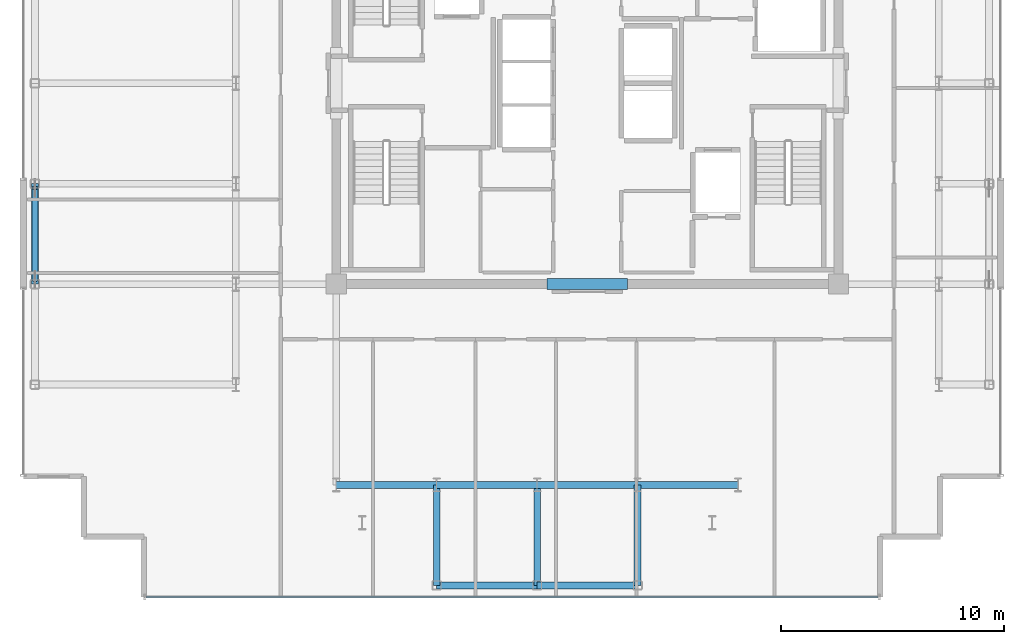
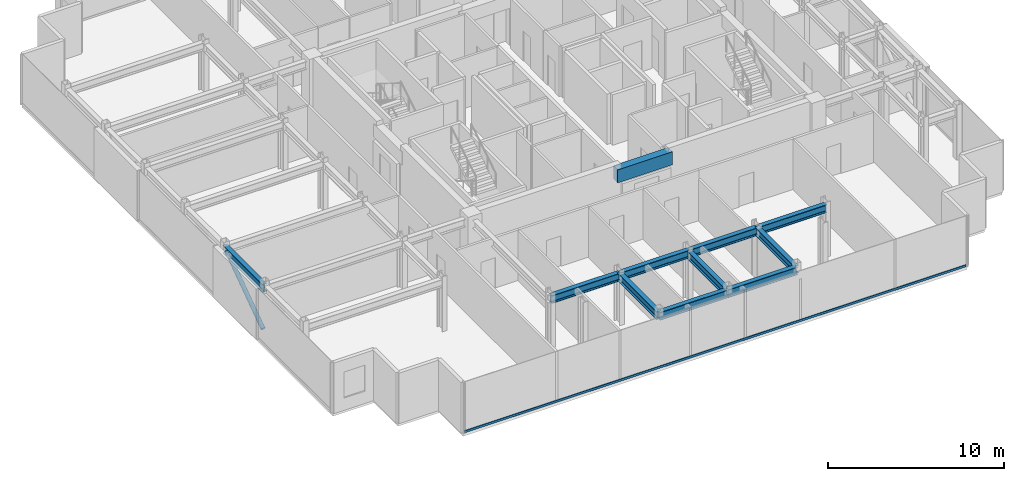
# One storey, part 3 of 16: 11 beams, 2 members, 1 element without a shape of its own.
"""IFC4 building model written with IfcOpenShell, lengths in metres."""

from ifc_helpers import new_model, si_unit, direction, frame, origin, origin_2d, place, context, subcontext, project, spatial, rectangle, hollow_rectangle, hollow_circle, i_section, extrude, source, transform, mapped, material, layer, layer_set, material_profile, profile_set, type_object, element, aggregate, save


model = new_model("IFC4")

# Units and contexts
model_context = context("Model", 3, precision=1e-05, world=origin(), true_north=direction((0.0, 1.0)))
body_context = subcontext(model_context, "Body", "Model", "MODEL_VIEW")
ifc_project = project(units=[si_unit("LENGTHUNIT", "METRE"), si_unit("AREAUNIT", "SQUARE_METRE"), si_unit("VOLUMEUNIT", "CUBIC_METRE"), si_unit("PLANEANGLEUNIT", "RADIAN"), si_unit("MASSUNIT", "GRAM", prefix="KILO")], contexts=[model_context])

# Site, building, storey
site_placement = place(None, origin())
site = spatial("IfcSite", under=ifc_project, at=site_placement, CompositionType="ELEMENT")
building_placement = place(site_placement, origin())
building = spatial("IfcBuilding", under=site, at=building_placement, Name="Nefas-Gora Pilgrimage Tower", CompositionType="ELEMENT")
storey_placement = place(building_placement, frame((0.0, 0.0, 345.199951171875)))
storey = spatial("IfcBuildingStorey", under=building, at=storey_placement, Name="L87", CompositionType="ELEMENT", Elevation=345.199951171875)

# Beams
ifc_material_1 = material(Name="Concrete C50/60", Category="concrete")
ifc_material_profile_1 = material_profile(ifc_material_1, rectangle(XDim=0.5, YDim=0.89990234375, at=origin_2d()), Name="RC 500x900")
ifc_profile_set_1 = profile_set([ifc_material_profile_1], Name="Concrete C50/60")
beam_type_1 = type_object("IfcBeamType", Name="BM-LIN-RC900", PredefinedType="LINTEL", material=ifc_profile_set_1)
shared_shape_1 = source(origin(), body_context, "Body", "SweptSolid", [
    extrude(rectangle(XDim=0.5, YDim=0.89990234375, at=origin_2d()), origin(), (0.0, 0.0, 1.0), 3.60009765625),
])
beam_placement = place(storey_placement, frame((-1.800048828125, -9.0, 3.050048828125), z_axis=(1.0, 0.0, 0.0), x_axis=(0.0, 1.0, 0.0)))
element("IfcBeam", 1, at=beam_placement, inside=storey, type_object=beam_type_1, Name="L87 Core Coupling Lintel Beam S", PredefinedType="LINTEL", context=body_context, shape_type="MappedRepresentation", body=[
    mapped(shared_shape_1, transform((0.0, 0.0, 0.0), x_axis=(1.0, 0.0, 0.0), y_axis=(0.0, 1.0, 0.0), z_axis=(0.0, 0.0, 1.0), scale=1.0)),
])
ifc_material_2 = material(Name="Steel S355", Category="steel")
ifc_material_profile_2 = material_profile(ifc_material_2, i_section(OverallWidth=0.300048828125, OverallDepth=0.550048828125, WebThickness=0.014892578125, FlangeThickness=0.029052734375, FilletRadius=0.027099609375, at=origin_2d()), Name="HEB 550")
ifc_profile_set_2 = profile_set([ifc_material_profile_2], Name="Steel S355")
beam_type_2 = type_object("IfcBeamType", Name="BM-SPN-HEB400", PredefinedType="SPANDREL", material=ifc_profile_set_2)
shared_shape_2 = source(origin(), body_context, "Body", "SweptSolid", [
    extrude(i_section(OverallWidth=0.300048828125, OverallDepth=0.550048828125, WebThickness=0.014892578125, FlangeThickness=0.029052734375, FilletRadius=0.027099609375, at=origin_2d()), origin(), (0.0, 0.0, 1.0), 4.5),
])
for number, where, z_axis, x_axis, name in (
    (2, (-24.75, -9.0, 3.22509765625), (0.0, 1.0, 0.0), (-1.0, 0.0, 0.0), "L87 SP-04 beam"),
    (3, (-6.75, -22.5, 3.22509765625), (1.0, 0.0, 0.0), (0.0, 1.0, 0.0), "L87 SP-04 beam"),
    (4, (-2.25, -22.5, 3.22509765625), (1.0, 0.0, 0.0), (0.0, 1.0, 0.0), "L87 SP-04 beam"),
):
    element("IfcBeam", number, at=place(storey_placement, frame(where, z_axis=z_axis, x_axis=x_axis)), inside=storey, type_object=beam_type_2, Name=name, PredefinedType="SPANDREL", context=body_context, shape_type="MappedRepresentation", body=[
        mapped(shared_shape_2, transform((0.0, 0.0, 0.0), x_axis=(1.0, 0.0, 0.0), y_axis=(0.0, 1.0, 0.0), z_axis=(0.0, 0.0, 1.0), scale=1.0)),
    ])
ifc_material_profile_3 = material_profile(ifc_material_2, i_section(OverallWidth=0.300048828125, OverallDepth=0.550048828125, WebThickness=0.014892578125, FlangeThickness=0.029052734375, FilletRadius=0.027099609375, at=origin_2d()), Name="HEB 550")
ifc_profile_set_3 = profile_set([ifc_material_profile_3], Name="Steel S355")
beam_type_3 = type_object("IfcBeamType", Name="BM-GIR-HEB550", PredefinedType="BEAM", material=ifc_profile_set_3)
shared_shape_3 = source(origin(), body_context, "Body", "SweptSolid", [
    extrude(i_section(OverallWidth=0.300048828125, OverallDepth=0.550048828125, WebThickness=0.014892578125, FlangeThickness=0.029052734375, FilletRadius=0.027099609375, at=origin_2d()), origin(), (0.0, 0.0, 1.0), 4.5),
])
for number, where, z_axis, x_axis, name in (
    (5, (-11.25, -18.0, 3.22509765625), (1.0, 0.0, 0.0), (0.0, 1.0, 0.0), "L87 G-05 beam"),
    (6, (-6.75, -22.5, 3.22509765625), (0.0, 1.0, 0.0), (-1.0, 0.0, 0.0), "L87 G-05 beam"),
    (7, (-6.75, -18.0, 3.22509765625), (1.0, 0.0, 0.0), (0.0, 1.0, 0.0), "L87 G-05 beam"),
    (8, (-2.25, -22.5, 3.22509765625), (0.0, 1.0, 0.0), (-1.0, 0.0, 0.0), "L87 G-05 beam"),
    (9, (-2.25, -18.0, 3.22509765625), (1.0, 0.0, 0.0), (0.0, 1.0, 0.0), "L87 G-05 beam"),
    (10, (2.25, -22.5, 3.22509765625), (0.0, 1.0, 0.0), (-1.0, 0.0, 0.0), "L87 G-05 beam"),
    (11, (2.25, -18.0, 3.22509765625), (1.0, 0.0, 0.0), (0.0, 1.0, 0.0), "L87 G-05 beam"),
):
    element("IfcBeam", number, at=place(storey_placement, frame(where, z_axis=z_axis, x_axis=x_axis)), inside=storey, type_object=beam_type_3, Name=name, PredefinedType="BEAM", context=body_context, shape_type="MappedRepresentation", body=[
        mapped(shared_shape_3, transform((0.0, 0.0, 0.0), x_axis=(1.0, 0.0, 0.0), y_axis=(0.0, 1.0, 0.0), z_axis=(0.0, 0.0, 1.0), scale=1.0)),
    ])

# Member
ifc_material_profile_4 = material_profile(ifc_material_2, hollow_circle(Radius=0.136474609375, WallThickness=0.01611328125, at=origin_2d()), Name="CHS 273x16")
ifc_profile_set_4 = profile_set([ifc_material_profile_4], Name="Steel S355")
member_type_1 = type_object("IfcMemberType", Name="MEM-TUBE-273", PredefinedType="BRACE", material=ifc_profile_set_4)
shared_shape_4 = source(origin(), body_context, "Body", "SweptSolid", [
    extrude(hollow_circle(Radius=0.136474609375, WallThickness=0.01611328125, at=origin_2d()), origin(), (0.0, 0.0, 1.0), 5.044677734375),
])
member_1_placement = place(storey_placement, frame((-24.75, -8.81201171875, 0.282470703125), z_axis=(0.0, 0.817509361732, 0.575915309295), x_axis=(-1.0, 0.0, 0.0)))
element("IfcMember", 12, at=member_1_placement, inside=storey, type_object=member_type_1, Name="L87 Perimeter Tube Diagonal Brace W1", PredefinedType="BRACE", context=body_context, shape_type="MappedRepresentation", body=[
    mapped(shared_shape_4, transform((0.0, 0.0, 0.0), x_axis=(1.0, 0.0, 0.0), y_axis=(0.0, 1.0, 0.0), z_axis=(0.0, 0.0, 1.0), scale=1.0)),
])

# Curtain wall, member
ifc_material_3 = material(Name="Dark ceramic-fritted solar-control aluminium-glass curtain wall", Category="aluminium")
ifc_layer = layer(ifc_material_3, 0.219970703125)
ifc_layer_set = layer_set([ifc_layer], Name="Dark ceramic-fritted solar-control aluminium-glass curtain wall")
curtain_wall_type = type_object("IfcCurtainWallType", Name="CW-SYS-4", PredefinedType="NOTDEFINED", material=ifc_layer_set)
curtain_wall_placement = place(storey_placement, origin())
curtain_wall = element("IfcCurtainWall", 13, at=curtain_wall_placement, inside=storey, type_object=curtain_wall_type, Name="L87 Unitised Curtain Wall CW4", PredefinedType="NOTDEFINED")
ifc_material_4 = material(Name="Anodised architectural aluminium", Category="aluminium")
ifc_material_profile_5 = material_profile(ifc_material_4, hollow_rectangle(XDim=0.080078125, YDim=0.159912109375, WallThickness=0.00439453125, InnerFilletRadius=0.00439453125, OuterFilletRadius=0.009033203125, at=origin_2d()), Name="ALU TRANSOM 80x160")
ifc_profile_set_5 = profile_set([ifc_material_profile_5], Name="Anodised architectural aluminium")
member_type_2 = type_object("IfcMemberType", Name="CWM-TRN-4", PredefinedType="USERDEFINED", material=ifc_profile_set_5)
shared_shape_5 = source(origin(), body_context, "Body", "SweptSolid", [
    extrude(hollow_rectangle(XDim=0.080078125, YDim=0.159912109375, WallThickness=0.00439453125, InnerFilletRadius=0.00439453125, OuterFilletRadius=0.009033203125, at=origin_2d()), origin(), (0.0, 0.0, 1.0), 32.81005859375),
])
member_2_placement = place(storey_placement, frame((-19.780029296875, -23.02001953125, 0.050048828125), z_axis=(1.0, 0.0, 0.0), x_axis=(0.0, 1.0, 0.0)))
member_2 = element("IfcMember", 14, at=member_2_placement, type_object=member_type_2, Name="CW4 Spandrel Transom", ObjectType="TRANSOM", PredefinedType="USERDEFINED", context=body_context, shape_type="MappedRepresentation", body=[
    mapped(shared_shape_5, transform((0.0, 0.0, 0.0), x_axis=(1.0, 0.0, 0.0), y_axis=(0.0, 1.0, 0.0), z_axis=(0.0, 0.0, 1.0), scale=1.0)),
])
aggregate(curtain_wall, [member_2])

save(model, "model.ifc")
